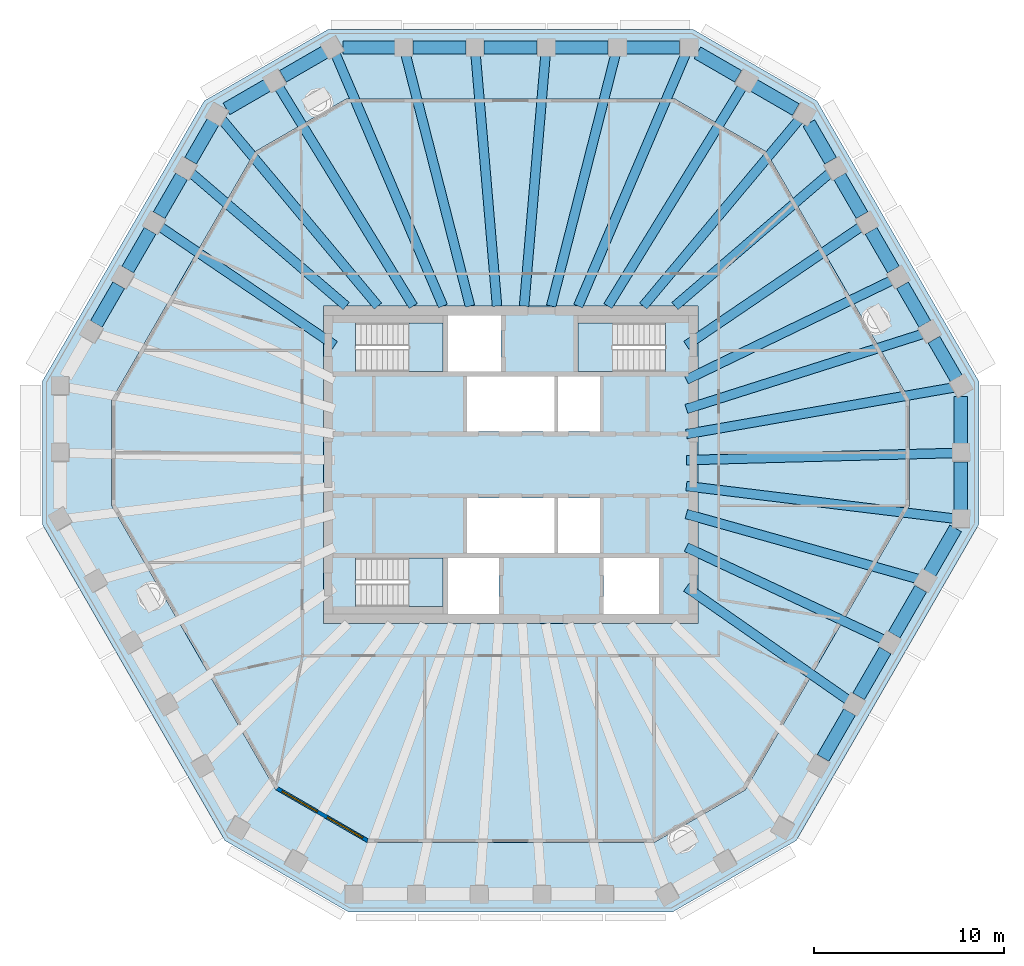
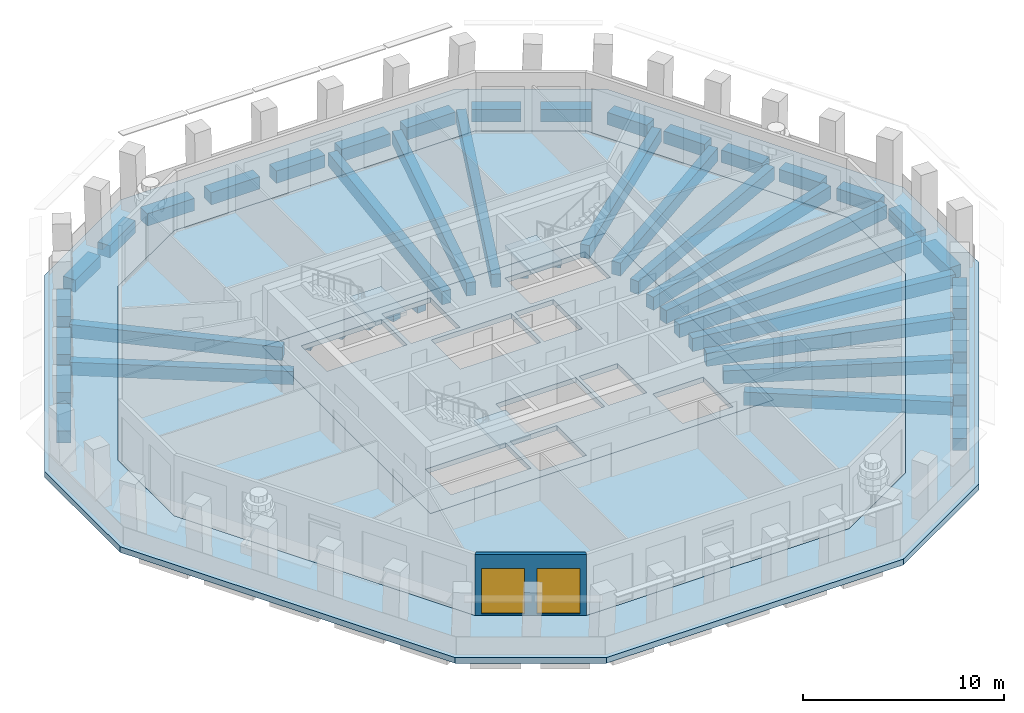
# One storey, part 2 of 11: 46 beams, 6 slabs, 2 windows, 1 wall, 2 openings, 3 elements without a shape of their own.
"""IFC4 building model written with IfcOpenShell, lengths in metres."""

import ifcopenshell
import ifcopenshell.guid

model = None  # the IFC model being written
_history = None  # IfcOwnerHistory: only IFC2X3 demands one
_inside = {}  # id of a spatial element -> (the spatial element, [elements in it])
_under = {}  # id of a project, library or spatial element -> (it, [spatial elements below it])
_declared = {}  # id of a project -> (the project, [libraries it declares])
_typed = {}  # id of a type object -> (the type object, [elements of that type])
_made_of = {}  # id of a material, layer set ... -> (it, [elements and type objects made of it])


def new_model(schema):
    """Start an empty IFC model of exactly this schema.

    Asked for "IFC4X3", IfcOpenShell would pick the latest addendum, in which some entities
    have other attributes; the version numbers below select the first issue.
    IFC2X3 requires an IfcOwnerHistory on every rooted entity: one is made here for all.
    """
    global model, _history
    if schema == "IFC4X3":
        model = ifcopenshell.file(schema_version=(4, 3, 0, 0))
    else:
        model = ifcopenshell.file(schema=schema)
    _inside.clear()
    _under.clear()
    _declared.clear()
    _typed.clear()
    _made_of.clear()
    _history = None
    if model.schema == "IFC2X3":
        org = make("IfcOrganization", Name="unknown")
        user = make(
            "IfcPersonAndOrganization",
            ThePerson=make("IfcPerson", FamilyName="unknown"),
            TheOrganization=org,
        )
        app = make(
            "IfcApplication",
            ApplicationDeveloper=org,
            Version="unknown",
            ApplicationFullName="unknown",
            ApplicationIdentifier="unknown",
        )
        _history = make(
            "IfcOwnerHistory",
            OwningUser=user,
            OwningApplication=app,
            ChangeAction="ADDED",
            CreationDate=0,
        )
    return model


def make(cls, **values):
    """One entity of the class cls with the attributes given. An attribute that is None is left unset."""
    return model.create_entity(
        cls, **{name: value for name, value in values.items() if value is not None}
    )


def rooted(cls, **values):
    """An entity with a GlobalId (a new one), such as an element, a storey or a relation."""
    return make(cls, GlobalId=ifcopenshell.guid.new(), OwnerHistory=_history, **values)


def si_unit(unit_type, name, prefix=None):
    """IfcSIUnit, for example si_unit("LENGTHUNIT", "METRE", prefix="MILLI")."""
    return make("IfcSIUnit", UnitType=unit_type, Prefix=prefix, Name=name)


def assignment(units):
    """IfcUnitAssignment: the units of a project."""
    return None if units is None else make("IfcUnitAssignment", Units=units)


def point(xyz):
    """IfcCartesianPoint."""
    return None if xyz is None else make("IfcCartesianPoint", Coordinates=xyz)


def direction(xyz):
    """IfcDirection."""
    return None if xyz is None else make("IfcDirection", DirectionRatios=xyz)


def frame(location, z_axis=None, x_axis=None):
    """IfcAxis2Placement3D, a coordinate frame: its origin and axes. An axis left out is left unset."""
    return make(
        "IfcAxis2Placement3D",
        Location=point(location),
        Axis=direction(z_axis),
        RefDirection=direction(x_axis),
    )


def frame_2d(location, x_axis=None):
    """IfcAxis2Placement2D, a coordinate frame in the plane: its origin and x axis."""
    return make(
        "IfcAxis2Placement2D", Location=point(location), RefDirection=direction(x_axis)
    )


def origin():
    """The frame at (0, 0, 0) with its axes left unset."""
    return frame((0.0, 0.0, 0.0))


def origin_2d():
    """The frame at (0, 0) in the plane with its x axis left unset."""
    return frame_2d((0.0, 0.0))


def place(relative_to, where):
    """IfcLocalPlacement: puts the frame where relative to a parent placement (None: the world)."""
    return make(
        "IfcLocalPlacement", PlacementRelTo=relative_to, RelativePlacement=where
    )


def context(
    kind, dimensions, precision=None, world=None, true_north=None, identifier=None
):
    """IfcGeometricRepresentationContext, for example the 3D "Model" context."""
    return make(
        "IfcGeometricRepresentationContext",
        ContextIdentifier=identifier,
        ContextType=kind,
        CoordinateSpaceDimension=dimensions,
        Precision=precision,
        WorldCoordinateSystem=world,
        TrueNorth=true_north,
    )


def subcontext(parent, identifier, kind, view, scale=None):
    """IfcGeometricRepresentationSubContext, for example "Body" below "Model"."""
    return make(
        "IfcGeometricRepresentationSubContext",
        ContextIdentifier=identifier,
        ContextType=kind,
        ParentContext=parent,
        TargetScale=scale,
        TargetView=view,
    )


def project(units=None, contexts=None):
    """IfcProject with its units and contexts."""
    return rooted(
        "IfcProject",
        Name="project",
        RepresentationContexts=contexts,
        UnitsInContext=assignment(units),
    )


def spatial(cls, under=None, at=None, **own):
    """A site, building, storey or space (cls), placed at a placement, below another one or the project."""
    s = rooted(cls, ObjectPlacement=at, **own)
    if under is not None:
        _under.setdefault(under.id(), (under, []))[1].append(s)
    return s


def polyline(points):
    """IfcPolyline through the points."""
    return make("IfcPolyline", Points=[point(p) for p in points])


def profile(cls, at=None, kind="AREA", **sizes):
    """A parametric profile (cls). Its sizes go by their IFC names, for example OverallWidth=200.0."""
    return make(cls, ProfileType=kind, Position=at, **sizes)


def rectangle(**sizes):
    """IfcRectangleProfileDef."""
    return profile("IfcRectangleProfileDef", **sizes)


def outline(outer, holes=None, kind="AREA"):
    """IfcArbitraryClosedProfileDef: a profile drawn as a closed curve; with holes, ...WithVoids."""
    if holes is None:
        return make("IfcArbitraryClosedProfileDef", ProfileType=kind, OuterCurve=outer)
    return make(
        "IfcArbitraryProfileDefWithVoids",
        ProfileType=kind,
        OuterCurve=outer,
        InnerCurves=holes,
    )


def extrude(swept, where, along, depth):
    """IfcExtrudedAreaSolid: the profile swept, set in the frame where, extruded along a direction by depth."""
    return make(
        "IfcExtrudedAreaSolid",
        SweptArea=swept,
        Position=where,
        ExtrudedDirection=direction(along),
        Depth=depth,
    )


def shape(context_of_items, identifier, shape_type, items):
    """IfcShapeRepresentation: the items that make up one representation, for example the "Body"."""
    return make(
        "IfcShapeRepresentation",
        ContextOfItems=context_of_items,
        RepresentationIdentifier=identifier,
        RepresentationType=shape_type,
        Items=items,
    )


def material(Name=None, Category=None):
    """IfcMaterial."""
    return make("IfcMaterial", Name=Name, Category=Category)


def layer(
    of_material, thickness, ventilated=None, Name=None, Category=None, Priority=None
):
    """IfcMaterialLayer: one layer of a wall or slab, of a material (None: an air gap)."""
    return make(
        "IfcMaterialLayer",
        Material=of_material,
        LayerThickness=thickness,
        IsVentilated=ventilated,
        Name=Name,
        Category=Category,
        Priority=Priority,
    )


def layer_set(layers, Name=None):
    """IfcMaterialLayerSet."""
    return make("IfcMaterialLayerSet", MaterialLayers=layers, LayerSetName=Name)


def material_profile(
    of_material, cross_section, Name=None, Category=None, Priority=None
):
    """IfcMaterialProfile: a cross section and its material."""
    return make(
        "IfcMaterialProfile",
        Name=Name,
        Material=of_material,
        Profile=cross_section,
        Priority=Priority,
        Category=Category,
    )


def profile_set(profiles, Name=None, composite=None):
    """IfcMaterialProfileSet."""
    return make(
        "IfcMaterialProfileSet",
        Name=Name,
        MaterialProfiles=profiles,
        CompositeProfile=composite,
    )


def made_of(thing, what):
    """Note that an element or type object is made of a material, layer set ...; save() writes the relation."""
    if what is not None:
        _made_of.setdefault(what.id(), (what, []))[1].append(thing)
    return thing


def type_object(cls, material=None, **own):
    """A type object (cls), such as IfcWallType, which elements share."""
    return made_of(rooted(cls, **own), material)


def element(
    cls,
    number,
    at=None,
    inside=None,
    cuts=None,
    type_object=None,
    material=None,
    context=None,
    identifier="Body",
    shape_type=None,
    held_by="IfcProductDefinitionShape",
    body=None,
    shapes=None,
    **own,
):
    """One element of the class cls, such as IfcWall. Its Tag is "e" and its number.

    at: its placement. inside: the storey or other place that contains it. cuts: it is an
    opening in that element (IfcRelVoidsElement). A single representation is given by context,
    identifier, shape_type and body (its items); several are given by shapes. held_by: the class
    of the entity that holds the representations. save() writes the other relations.
    """
    e = rooted(cls, Tag="e%d" % number, ObjectPlacement=at, **own)
    if body is not None:
        shapes = [shape(context, identifier, shape_type, body)]
    if shapes is not None:
        e.Representation = make(held_by, Representations=shapes)
    if inside is not None:
        _inside.setdefault(inside.id(), (inside, []))[1].append(e)
    if cuts is not None:
        rooted(
            "IfcRelVoidsElement", RelatingBuildingElement=cuts, RelatedOpeningElement=e
        )
    if type_object is not None:
        _typed.setdefault(type_object.id(), (type_object, []))[1].append(e)
    return made_of(e, material)


def fill(opening, filler):
    """IfcRelFillsElement: the door or window that sits in an opening."""
    return rooted(
        "IfcRelFillsElement",
        RelatingOpeningElement=opening,
        RelatedBuildingElement=filler,
    )


def aggregate(whole, parts):
    """IfcRelAggregates: a whole, such as a stair, and the parts it consists of."""
    return rooted("IfcRelAggregates", RelatingObject=whole, RelatedObjects=parts)


def save(model, path):
    """Write the relations noted so far, then the file.

    IfcRelAggregates (storeys below a building ...), IfcRelContainedInSpatialStructure (elements
    in a storey), IfcRelDefinesByType, IfcRelAssociatesMaterial and IfcRelDeclares: one each for
    every whole, place, type object, material and project.
    """
    for whole, parts in _under.values():
        aggregate(whole, parts)
    for where, things in _inside.values():
        rooted(
            "IfcRelContainedInSpatialStructure",
            RelatedElements=things,
            RelatingStructure=where,
        )
    for kind, things in _typed.values():
        rooted("IfcRelDefinesByType", RelatedObjects=things, RelatingType=kind)
    for what, things in _made_of.values():
        rooted("IfcRelAssociatesMaterial", RelatedObjects=things, RelatingMaterial=what)
    for by, libraries in _declared.values():
        rooted("IfcRelDeclares", RelatingContext=by, RelatedDefinitions=libraries)
    model.write(path)


model = new_model("IFC4")

# Units and contexts
model_context = context("Model", 3, precision=1e-05, world=origin(), true_north=direction((0.0, 1.0)))
body_context = subcontext(model_context, "Body", "Model", "MODEL_VIEW")
ifc_project = project(units=[si_unit("LENGTHUNIT", "METRE"), si_unit("AREAUNIT", "SQUARE_METRE"), si_unit("VOLUMEUNIT", "CUBIC_METRE"), si_unit("PLANEANGLEUNIT", "RADIAN"), si_unit("MASSUNIT", "GRAM", prefix="KILO")], contexts=[model_context])

# Site, building, storey
site_placement = place(None, origin())
site = spatial("IfcSite", under=ifc_project, at=site_placement, CompositionType="ELEMENT")
building_placement = place(site_placement, origin())
building = spatial("IfcBuilding", under=site, at=building_placement, Name="Frailejon Research Tower", CompositionType="ELEMENT")
storey_placement = place(building_placement, frame((0.0, 0.0, 283.0)))
storey = spatial("IfcBuildingStorey", under=building, at=storey_placement, Name="L62", CompositionType="ELEMENT", Elevation=283.0)

# Beams
ifc_material_1 = material(Name="Concrete C60/75", Category="concrete")
ifc_material_profile_1 = material_profile(ifc_material_1, rectangle(XDim=0.5, YDim=0.800048828125, at=origin_2d()), Name="Girder 500x800")
ifc_profile_set_1 = profile_set([ifc_material_profile_1], Name="Concrete C60/75")
beam_type_1 = type_object("IfcBeamType", Name="Girder 500x800", PredefinedType="BEAM", material=ifc_profile_set_1)
beam_1_placement = place(storey_placement, frame((23.360595703125, -2.833740234375, -0.699951171875), z_axis=(-0.992722897233, 0.120421133147, 0.0), x_axis=(-0.120421133147, -0.992722897233, 0.0)))
element("IfcBeam", 1, at=beam_1_placement, inside=storey, type_object=beam_type_1, Name="Girder 500x800", PredefinedType="BEAM", context=body_context, shape_type="SweptSolid", body=[
    extrude(rectangle(XDim=0.5, YDim=0.800048828125, at=origin_2d()), origin(), (0.0, 0.0, 1.0), 14.214111328125),
])
beam_2_placement = place(storey_placement, frame((23.361572265625, 0.619873046875, -0.699951171875), z_axis=(-0.99964801782, -0.026529991857, 0.0), x_axis=(0.026529991857, -0.99964801782, 0.0)))
element("IfcBeam", 2, at=beam_2_placement, inside=storey, type_object=beam_type_1, Name="Girder 500x800", PredefinedType="BEAM", context=body_context, shape_type="SweptSolid", body=[
    extrude(rectangle(XDim=0.5, YDim=0.800048828125, at=origin_2d()), origin(), (0.0, 0.0, 1.0), 14.116455078125),
])
beam_3_placement = place(storey_placement, frame((23.336181640625, 4.0693359375, -0.699951171875), z_axis=(-0.98513458594, -0.171784305408, 0.0), x_axis=(0.171784305408, -0.98513458594, 0.0)))
element("IfcBeam", 3, at=beam_3_placement, inside=storey, type_object=beam_type_1, Name="Girder 500x800", PredefinedType="BEAM", context=body_context, shape_type="SweptSolid", body=[
    extrude(rectangle(XDim=0.5, YDim=0.800048828125, at=origin_2d()), origin(), (0.0, 0.0, 1.0), 14.298828125),
])
beam_4_placement = place(storey_placement, frame((21.712890625, 6.89208984375, -0.699951171875), z_axis=(-0.953138881796, -0.302533092418, 0.0), x_axis=(0.302533092418, -0.953138881796, 0.0)))
element("IfcBeam", 4, at=beam_4_placement, inside=storey, type_object=beam_type_1, Name="Girder 500x800", PredefinedType="BEAM", context=body_context, shape_type="SweptSolid", body=[
    extrude(rectangle(XDim=0.5, YDim=0.800048828125, at=origin_2d()), origin(), (0.0, 0.0, 1.0), 13.07568359375),
])
beam_5_placement = place(storey_placement, frame((20.08642578125, 9.71533203125, -0.699951171875), z_axis=(-0.900231576571, -0.435411424454, 0.0), x_axis=(0.435411424454, -0.900231576571, 0.0)))
element("IfcBeam", 5, at=beam_5_placement, inside=storey, type_object=beam_type_1, Name="Girder 500x800", PredefinedType="BEAM", context=body_context, shape_type="SweptSolid", body=[
    extrude(rectangle(XDim=0.5, YDim=0.800048828125, at=origin_2d()), origin(), (0.0, 0.0, 1.0), 12.037353515625),
])
beam_6_placement = place(storey_placement, frame((18.45703125, 12.53759765625, -0.699951171875), z_axis=(-0.82720341798, -0.561902576326, 0.0), x_axis=(0.561902576326, -0.82720341798, 0.0)))
element("IfcBeam", 6, at=beam_6_placement, inside=storey, type_object=beam_type_1, Name="Girder 500x800", PredefinedType="BEAM", context=body_context, shape_type="SweptSolid", body=[
    extrude(rectangle(XDim=0.5, YDim=0.800048828125, at=origin_2d()), origin(), (0.0, 0.0, 1.0), 11.13037109375),
])
beam_7_placement = place(storey_placement, frame((16.82080078125, 15.3671875, -0.699951171875), z_axis=(-0.758638635504, -0.651511642813, 0.0), x_axis=(0.651511642813, -0.758638635504, 0.0)))
element("IfcBeam", 7, at=beam_7_placement, inside=storey, type_object=beam_type_1, Name="Girder 500x800", PredefinedType="BEAM", context=body_context, shape_type="SweptSolid", body=[
    extrude(rectangle(XDim=0.5, YDim=0.800048828125, at=origin_2d()), origin(), (0.0, 0.0, 1.0), 10.7705078125),
])
beam_8_placement = place(storey_placement, frame((15.20751953125, 18.193115234375, -0.699951171875), z_axis=(-0.641346085729, -0.767251717704, 0.0), x_axis=(0.767251717704, -0.641346085729, 0.0)))
element("IfcBeam", 8, at=beam_8_placement, inside=storey, type_object=beam_type_1, Name="Girder 500x800", PredefinedType="BEAM", context=body_context, shape_type="SweptSolid", body=[
    extrude(rectangle(XDim=0.5, YDim=0.800048828125, at=origin_2d()), origin(), (0.0, 0.0, 1.0), 12.828857421875),
])
beam_9_placement = place(storey_placement, frame((12.2177734375, 19.921875, -0.699951171875), z_axis=(-0.522805378048, -0.852452072954, 0.0), x_axis=(0.852452072954, -0.522805378048, 0.0)))
element("IfcBeam", 9, at=beam_9_placement, inside=storey, type_object=beam_type_1, Name="Girder 500x800", PredefinedType="BEAM", context=body_context, shape_type="SweptSolid", body=[
    extrude(rectangle(XDim=0.5, YDim=0.800048828125, at=origin_2d()), origin(), (0.0, 0.0, 1.0), 13.57470703125),
])
beam_10_placement = place(storey_placement, frame((9.211181640625, 21.613037109375, -0.699951171875), z_axis=(-0.39207095417, -0.919934979711, 0.0), x_axis=(0.919934979711, -0.39207095417, 0.0)))
element("IfcBeam", 10, at=beam_10_placement, inside=storey, type_object=beam_type_1, Name="Girder 500x800", PredefinedType="BEAM", context=body_context, shape_type="SweptSolid", body=[
    extrude(rectangle(XDim=0.5, YDim=0.800048828125, at=origin_2d()), origin(), (0.0, 0.0, 1.0), 14.417236328125),
])
beam_11_placement = place(storey_placement, frame((5.528564453125, 21.620361328125, -0.699951171875), z_axis=(-0.247736763528, -0.96882738194, 0.0), x_axis=(0.96882738194, -0.247736763528, 0.0)))
element("IfcBeam", 11, at=beam_11_placement, inside=storey, type_object=beam_type_1, Name="Girder 500x800", PredefinedType="BEAM", context=body_context, shape_type="SweptSolid", body=[
    extrude(rectangle(XDim=0.5, YDim=0.800048828125, at=origin_2d()), origin(), (0.0, 0.0, 1.0), 13.697265625),
])
for number, where, z_axis, x_axis, name in (
    (12, (1.84326171875, 21.62451171875, -0.699951171875), (-0.084938023357, -0.996386236451, 0.0), (0.996386236451, -0.084938023357, 0.0), "Girder 500x800"),
    (13, (-1.84326171875, 21.62451171875, -0.699951171875), (0.084938023357, -0.996386236451, 0.0), (0.996386236451, 0.084938023357, 0.0), "Girder 500x800"),
):
    element("IfcBeam", number, at=place(storey_placement, frame(where, z_axis=z_axis, x_axis=x_axis)), inside=storey, type_object=beam_type_1, Name=name, PredefinedType="BEAM", context=body_context, shape_type="SweptSolid", body=[
        extrude(rectangle(XDim=0.5, YDim=0.800048828125, at=origin_2d()), origin(), (0.0, 0.0, 1.0), 13.322509765625),
    ])
beam_12_placement = place(storey_placement, frame((-5.528564453125, 21.620361328125, -0.699951171875), z_axis=(0.247736763528, -0.96882738194, 0.0), x_axis=(0.96882738194, 0.247736763528, 0.0)))
element("IfcBeam", 14, at=beam_12_placement, inside=storey, type_object=beam_type_1, Name="Girder 500x800", PredefinedType="BEAM", context=body_context, shape_type="SweptSolid", body=[
    extrude(rectangle(XDim=0.5, YDim=0.800048828125, at=origin_2d()), origin(), (0.0, 0.0, 1.0), 13.697265625),
])
beam_13_placement = place(storey_placement, frame((-9.22607421875, 21.647705078125, -0.699951171875), z_axis=(0.392077821058, -0.919932053053, 0.0), x_axis=(0.919932053053, 0.392077821058, 0.0)))
element("IfcBeam", 15, at=beam_13_placement, inside=storey, type_object=beam_type_1, Name="Girder 500x800", PredefinedType="BEAM", context=body_context, shape_type="SweptSolid", body=[
    extrude(rectangle(XDim=0.5, YDim=0.800048828125, at=origin_2d()), origin(), (0.0, 0.0, 1.0), 14.455078125),
])
beam_14_placement = place(storey_placement, frame((-12.2177734375, 19.921875, -0.699951171875), z_axis=(0.522805378048, -0.852452072954, 0.0), x_axis=(0.852452072954, 0.522805378048, 0.0)))
element("IfcBeam", 16, at=beam_14_placement, inside=storey, type_object=beam_type_1, Name="Girder 500x800", PredefinedType="BEAM", context=body_context, shape_type="SweptSolid", body=[
    extrude(rectangle(XDim=0.5, YDim=0.800048828125, at=origin_2d()), origin(), (0.0, 0.0, 1.0), 13.57470703125),
])
beam_15_placement = place(storey_placement, frame((-15.1923828125, 18.175048828125, -0.699951171875), z_axis=(0.6413444767, -0.76725306269, 0.0), x_axis=(0.76725306269, 0.6413444767, 0.0)))
element("IfcBeam", 17, at=beam_15_placement, inside=storey, type_object=beam_type_1, Name="Girder 500x800", PredefinedType="BEAM", context=body_context, shape_type="SweptSolid", body=[
    extrude(rectangle(XDim=0.5, YDim=0.800048828125, at=origin_2d()), origin(), (0.0, 0.0, 1.0), 12.805419921875),
])
beam_16_placement = place(storey_placement, frame((-16.82080078125, 15.3671875, -0.699951171875), z_axis=(0.758638635504, -0.651511642813, 0.0), x_axis=(0.651511642813, 0.758638635504, 0.0)))
element("IfcBeam", 18, at=beam_16_placement, inside=storey, type_object=beam_type_1, Name="Girder 500x800", PredefinedType="BEAM", context=body_context, shape_type="SweptSolid", body=[
    extrude(rectangle(XDim=0.5, YDim=0.800048828125, at=origin_2d()), origin(), (0.0, 0.0, 1.0), 10.7705078125),
])
beam_17_placement = place(storey_placement, frame((-18.45703125, 12.53759765625, -0.699951171875), z_axis=(0.82720341798, -0.561902576326, 0.0), x_axis=(0.561902576326, 0.82720341798, 0.0)))
element("IfcBeam", 19, at=beam_17_placement, inside=storey, type_object=beam_type_1, Name="Girder 500x800", PredefinedType="BEAM", context=body_context, shape_type="SweptSolid", body=[
    extrude(rectangle(XDim=0.5, YDim=0.800048828125, at=origin_2d()), origin(), (0.0, 0.0, 1.0), 11.13037109375),
])
beam_18_placement = place(storey_placement, frame((17.8056640625, -12.408447265625, -0.699951171875), z_axis=(-0.820437767817, 0.571735838599, 0.0), x_axis=(-0.571735838599, -0.820437767817, 0.0)))
element("IfcBeam", 20, at=beam_18_placement, inside=storey, type_object=beam_type_1, Name="Girder 500x800", PredefinedType="BEAM", context=body_context, shape_type="SweptSolid", body=[
    extrude(rectangle(XDim=0.5, YDim=0.800048828125, at=origin_2d()), origin(), (0.0, 0.0, 1.0), 10.42822265625),
])
beam_19_placement = place(storey_placement, frame((19.64892578125, -9.216064453125, -0.699951171875), z_axis=(-0.905352204933, 0.424661494632, 0.0), x_axis=(-0.424661494632, -0.905352204933, 0.0)))
element("IfcBeam", 21, at=beam_19_placement, inside=storey, type_object=beam_type_1, Name="Girder 500x800", PredefinedType="BEAM", context=body_context, shape_type="SweptSolid", body=[
    extrude(rectangle(XDim=0.5, YDim=0.800048828125, at=origin_2d()), origin(), (0.0, 0.0, 1.0), 11.486083984375),
])
beam_20_placement = place(storey_placement, frame((21.488037109375, -6.022216796875, -0.699951171875), z_axis=(-0.962896957439, 0.269869319031, 0.0), x_axis=(-0.269869319031, -0.962896957439, 0.0)))
element("IfcBeam", 22, at=beam_20_placement, inside=storey, type_object=beam_type_1, Name="Girder 500x800", PredefinedType="BEAM", context=body_context, shape_type="SweptSolid", body=[
    extrude(rectangle(XDim=0.5, YDim=0.800048828125, at=origin_2d()), origin(), (0.0, 0.0, 1.0), 12.709716796875),
])
ifc_material_2 = material(Name="Concrete C60/75", Category="concrete")
ifc_material_profile_2 = material_profile(ifc_material_2, rectangle(XDim=0.699951171875, YDim=0.75, at=origin_2d()), Name="Spandrel 700x750")
ifc_profile_set_2 = profile_set([ifc_material_profile_2], Name="Concrete C60/75")
beam_type_2 = type_object("IfcBeamType", Name="Spandrel 700x750", PredefinedType="BEAM", material=ifc_profile_set_2)
beam_21_placement = place(storey_placement, frame((23.686767578125, -2.3984375, -0.72509765625), z_axis=(0.0, 1.0, 0.0), x_axis=(-1.0, 0.0, 0.0)))
element("IfcBeam", 23, at=beam_21_placement, inside=storey, type_object=beam_type_2, Name="Spandrel 700x750", PredefinedType="BEAM", context=body_context, shape_type="SweptSolid", body=[
    extrude(rectangle(XDim=0.699951171875, YDim=0.75, at=origin_2d()), origin(), (0.0, 0.0, 1.0), 2.552001953125),
])
beam_22_placement = place(storey_placement, frame((23.686767578125, 1.103515625, -0.72509765625), z_axis=(0.0, 1.0, 0.0), x_axis=(-1.0, 0.0, 0.0)))
element("IfcBeam", 24, at=beam_22_placement, inside=storey, type_object=beam_type_2, Name="Spandrel 700x750", PredefinedType="BEAM", context=body_context, shape_type="SweptSolid", body=[
    extrude(rectangle(XDim=0.699951171875, YDim=0.75, at=origin_2d()), origin(), (0.0, 0.0, 1.0), 2.478515625),
])
for number, where, z_axis, x_axis, name in (
    (25, (23.44921875, 4.5419921875, -0.72509765625), (-0.500039355833, 0.866002680491, 0.0), (-0.866002680491, -0.500039355833, 0.0), "Spandrel 700x750"),
    (26, (21.7958984375, 7.405517578125, -0.72509765625), (-0.500039355833, 0.866002680491, 0.0), (-0.866002680491, -0.500039355833, 0.0), "Spandrel 700x750"),
):
    element("IfcBeam", number, at=place(storey_placement, frame(where, z_axis=z_axis, x_axis=x_axis)), inside=storey, type_object=beam_type_2, Name=name, PredefinedType="BEAM", context=body_context, shape_type="SweptSolid", body=[
        extrude(rectangle(XDim=0.699951171875, YDim=0.75, at=origin_2d()), origin(), (0.0, 0.0, 1.0), 2.356201171875),
    ])
for number, where, z_axis, x_axis, name in (
    (27, (20.142578125, 10.268798828125, -0.72509765625), (-0.499916780962, 0.866073444987, 0.0), (-0.866073444987, -0.499916780962, 0.0), "Spandrel 700x750"),
    (28, (18.489501953125, 13.13232421875, -0.72509765625), (-0.499994490818, 0.866028584489, 0.0), (-0.866028584489, -0.499994490818, 0.0), "Spandrel 700x750"),
):
    element("IfcBeam", number, at=place(storey_placement, frame(where, z_axis=z_axis, x_axis=x_axis)), inside=storey, type_object=beam_type_2, Name=name, PredefinedType="BEAM", context=body_context, shape_type="SweptSolid", body=[
        extrude(rectangle(XDim=0.699951171875, YDim=0.75, at=origin_2d()), origin(), (0.0, 0.0, 1.0), 2.3564453125),
    ])
beam_23_placement = place(storey_placement, frame((16.836181640625, 15.995849609375, -0.72509765625), z_axis=(-0.500049527193, 0.865996807358, 0.0), x_axis=(-0.865996807358, -0.500049527193, 0.0)))
element("IfcBeam", 29, at=beam_23_placement, inside=storey, type_object=beam_type_2, Name="Spandrel 700x750", PredefinedType="BEAM", context=body_context, shape_type="SweptSolid", body=[
    extrude(rectangle(XDim=0.699951171875, YDim=0.75, at=origin_2d()), origin(), (0.0, 0.0, 1.0), 2.282958984375),
])
beam_24_placement = place(storey_placement, frame((15.009033203125, 18.685546875, -0.72509765625), z_axis=(-0.866032638483, 0.499987468925, 0.0), x_axis=(-0.499987468925, -0.866032638483, 0.0)))
element("IfcBeam", 30, at=beam_24_placement, inside=storey, type_object=beam_type_2, Name="Spandrel 700x750", PredefinedType="BEAM", context=body_context, shape_type="SweptSolid", body=[
    extrude(rectangle(XDim=0.699951171875, YDim=0.75, at=origin_2d()), origin(), (0.0, 0.0, 1.0), 2.5517578125),
])
beam_25_placement = place(storey_placement, frame((11.976318359375, 20.4365234375, -0.72509765625), z_axis=(-0.866028115054, 0.499995303914, 0.0), x_axis=(-0.499995303914, -0.866028115054, 0.0)))
element("IfcBeam", 31, at=beam_25_placement, inside=storey, type_object=beam_type_2, Name="Spandrel 700x750", PredefinedType="BEAM", context=body_context, shape_type="SweptSolid", body=[
    extrude(rectangle(XDim=0.699951171875, YDim=0.75, at=origin_2d()), origin(), (0.0, 0.0, 1.0), 2.478515625),
])
for number, where, z_axis, x_axis, name in (
    (32, (8.8798828125, 21.949951171875, -0.72509765625), (-1.0, 0.0, 0.0), (0.0, -1.0, 0.0), "Spandrel 700x750"),
    (33, (5.137939453125, 21.949951171875, -0.72509765625), (-1.0, 0.0, 0.0), (0.0, -1.0, 0.0), "Spandrel 700x750"),
    (34, (1.39599609375, 21.949951171875, -0.72509765625), (-1.0, 0.0, 0.0), (0.0, -1.0, 0.0), "Spandrel 700x750"),
    (35, (-2.345947265625, 21.949951171875, -0.72509765625), (-1.0, 0.0, 0.0), (0.0, -1.0, 0.0), "Spandrel 700x750"),
):
    element("IfcBeam", number, at=place(storey_placement, frame(where, z_axis=z_axis, x_axis=x_axis)), inside=storey, type_object=beam_type_2, Name=name, PredefinedType="BEAM", context=body_context, shape_type="SweptSolid", body=[
        extrude(rectangle(XDim=0.699951171875, YDim=0.75, at=origin_2d()), origin(), (0.0, 0.0, 1.0), 2.7919921875),
    ])
beam_26_placement = place(storey_placement, frame((-6.087890625, 21.949951171875, -0.72509765625), z_axis=(-1.0, 0.0, 0.0), x_axis=(0.0, -1.0, 0.0)))
element("IfcBeam", 36, at=beam_26_placement, inside=storey, type_object=beam_type_2, Name="Spandrel 700x750", PredefinedType="BEAM", context=body_context, shape_type="SweptSolid", body=[
    extrude(rectangle(XDim=0.699951171875, YDim=0.75, at=origin_2d()), origin(), (0.0, 0.0, 1.0), 2.718505859375),
])
beam_27_placement = place(storey_placement, frame((-9.766357421875, 21.71240234375, -0.72509765625), z_axis=(-0.866032638483, -0.499987468925, 0.0), x_axis=(0.499987468925, -0.866032638483, 0.0)))
element("IfcBeam", 37, at=beam_27_placement, inside=storey, type_object=beam_type_2, Name="Spandrel 700x750", PredefinedType="BEAM", context=body_context, shape_type="SweptSolid", body=[
    extrude(rectangle(XDim=0.699951171875, YDim=0.75, at=origin_2d()), origin(), (0.0, 0.0, 1.0), 2.5517578125),
])
beam_28_placement = place(storey_placement, frame((-12.799072265625, 19.96142578125, -0.72509765625), z_axis=(-0.866028115054, -0.499995303914, 0.0), x_axis=(0.499995303914, -0.866028115054, 0.0)))
element("IfcBeam", 38, at=beam_28_placement, inside=storey, type_object=beam_type_2, Name="Spandrel 700x750", PredefinedType="BEAM", context=body_context, shape_type="SweptSolid", body=[
    extrude(rectangle(XDim=0.699951171875, YDim=0.75, at=origin_2d()), origin(), (0.0, 0.0, 1.0), 2.478515625),
])
for number, where, z_axis, x_axis, name in (
    (39, (-15.657958984375, 18.03662109375, -0.72509765625), (-0.499994490818, -0.866028584489, 0.0), (0.866028584489, -0.499994490818, 0.0), "Spandrel 700x750"),
    (40, (-17.311279296875, 15.173095703125, -0.72509765625), (-0.499994490818, -0.866028584489, 0.0), (0.866028584489, -0.499994490818, 0.0), "Spandrel 700x750"),
    (41, (-18.964599609375, 12.3095703125, -0.72509765625), (-0.499916780962, -0.866073444987, 0.0), (0.866073444987, -0.499916780962, 0.0), "Spandrel 700x750"),
):
    element("IfcBeam", number, at=place(storey_placement, frame(where, z_axis=z_axis, x_axis=x_axis)), inside=storey, type_object=beam_type_2, Name=name, PredefinedType="BEAM", context=body_context, shape_type="SweptSolid", body=[
        extrude(rectangle(XDim=0.699951171875, YDim=0.75, at=origin_2d()), origin(), (0.0, 0.0, 1.0), 2.3564453125),
    ])
beam_29_placement = place(storey_placement, frame((-20.61767578125, 9.446044921875, -0.72509765625), z_axis=(-0.500039355833, -0.866002680491, 0.0), x_axis=(0.866002680491, -0.500039355833, 0.0)))
element("IfcBeam", 42, at=beam_29_placement, inside=storey, type_object=beam_type_2, Name="Spandrel 700x750", PredefinedType="BEAM", context=body_context, shape_type="SweptSolid", body=[
    extrude(rectangle(XDim=0.699951171875, YDim=0.75, at=origin_2d()), origin(), (0.0, 0.0, 1.0), 2.356201171875),
])
beam_30_placement = place(storey_placement, frame((16.440185546875, -15.424560546875, -0.72509765625), z_axis=(0.499994945868, 0.866028321769, 0.0), x_axis=(-0.866028321769, 0.499994945868, 0.0)))
element("IfcBeam", 43, at=beam_30_placement, inside=storey, type_object=beam_type_2, Name="Spandrel 700x750", PredefinedType="BEAM", context=body_context, shape_type="SweptSolid", body=[
    extrude(rectangle(XDim=0.699951171875, YDim=0.75, at=origin_2d()), origin(), (0.0, 0.0, 1.0), 2.7919921875),
])
beam_31_placement = place(storey_placement, frame((18.311279296875, -12.183837890625, -0.72509765625), z_axis=(0.500032811619, 0.866006459158, 0.0), x_axis=(-0.866006459158, 0.500032811619, 0.0)))
element("IfcBeam", 44, at=beam_31_placement, inside=storey, type_object=beam_type_2, Name="Spandrel 700x750", PredefinedType="BEAM", context=body_context, shape_type="SweptSolid", body=[
    extrude(rectangle(XDim=0.699951171875, YDim=0.75, at=origin_2d()), origin(), (0.0, 0.0, 1.0), 2.791748046875),
])
beam_32_placement = place(storey_placement, frame((20.18212890625, -8.943359375, -0.72509765625), z_axis=(0.499994945868, 0.866028321769, 0.0), x_axis=(-0.866028321769, 0.499994945868, 0.0)))
element("IfcBeam", 45, at=beam_32_placement, inside=storey, type_object=beam_type_2, Name="Spandrel 700x750", PredefinedType="BEAM", context=body_context, shape_type="SweptSolid", body=[
    extrude(rectangle(XDim=0.699951171875, YDim=0.75, at=origin_2d()), origin(), (0.0, 0.0, 1.0), 2.7919921875),
])
beam_33_placement = place(storey_placement, frame((22.05322265625, -5.70263671875, -0.72509765625), z_axis=(0.500041177004, 0.866001628925, 0.0), x_axis=(-0.866001628925, 0.500041177004, 0.0)))
element("IfcBeam", 46, at=beam_33_placement, inside=storey, type_object=beam_type_2, Name="Spandrel 700x750", PredefinedType="BEAM", context=body_context, shape_type="SweptSolid", body=[
    extrude(rectangle(XDim=0.699951171875, YDim=0.75, at=origin_2d()), origin(), (0.0, 0.0, 1.0), 2.718505859375),
])

# Slabs
ifc_material_3 = material(Name="Concrete C50/60", Category="concrete")
ifc_layer_1 = layer(ifc_material_3, 0.300048828125)
ifc_layer_set_1 = layer_set([ifc_layer_1], Name="Core floor slab 300 C50/60")
slab_type_1 = type_object("IfcSlabType", Name="Core floor slab 300 C50/60", PredefinedType="FLOOR", material=ifc_layer_set_1)
slab_1_placement = place(storey_placement, frame((0.0, 0.0, -0.300048828125)))
element("IfcSlab", 47, at=slab_1_placement, inside=storey, type_object=slab_type_1, Name="Core floor slab", PredefinedType="FLOOR", context=body_context, shape_type="SweptSolid", body=[
    extrude(outline(polyline([(9.85009765625, -8.35009765625), (9.85009765625, 8.35009765625), (-9.85009765625, 8.35009765625), (-9.85009765625, -8.35009765625), (9.85009765625, -8.35009765625)]), holes=[polyline([(2.300048828125, 1.75), (2.300048828125, 4.64990234375), (-2.300048828125, 4.64990234375), (-2.300048828125, 1.75), (2.300048828125, 1.75)]), polyline([(4.699951171875, 1.75), (4.699951171875, 4.64990234375), (2.5, 4.64990234375), (2.5, 1.75), (4.699951171875, 1.75)]), polyline([(2.300048828125, -4.64990234375), (2.300048828125, -1.75), (-2.300048828125, -1.75), (-2.300048828125, -4.64990234375), (2.300048828125, -4.64990234375)]), polyline([(4.699951171875, -4.64990234375), (4.699951171875, -1.75), (2.5, -1.75), (2.5, -4.64990234375), (4.699951171875, -4.64990234375)]), polyline([(-8.14697265625, 4.89990234375), (-3.550048828125, 4.89990234375), (-3.550048828125, 7.449951171875), (-8.14697265625, 7.449951171875), (-8.14697265625, 4.89990234375)]), polyline([(-8.14697265625, -7.449951171875), (-3.550048828125, -7.449951171875), (-3.550048828125, -4.89990234375), (-8.14697265625, -4.89990234375), (-8.14697265625, -7.449951171875)]), polyline([(8.14697265625, 7.449951171875), (3.550048828125, 7.449951171875), (3.550048828125, 4.89990234375), (8.14697265625, 4.89990234375), (8.14697265625, 7.449951171875)]), polyline([(-0.60009765625, -7.85009765625), (-0.60009765625, -4.89990234375), (-3.300048828125, -4.89990234375), (-3.300048828125, -7.85009765625), (-0.60009765625, -7.85009765625)]), polyline([(7.800048828125, -7.85009765625), (7.800048828125, -4.89990234375), (4.89990234375, -4.89990234375), (4.89990234375, -7.85009765625), (7.800048828125, -7.85009765625)]), polyline([(-0.5, 4.89990234375), (-0.5, 7.85009765625), (-3.300048828125, 7.85009765625), (-3.300048828125, 4.89990234375), (-0.5, 4.89990234375)])]), origin(), (0.0, 0.0, 1.0), 0.300048828125),
])
ifc_material_4 = material(Name="Concrete C40/50", Category="concrete")
ifc_layer_2 = layer(ifc_material_4, 0.35009765625)
ifc_layer_set_2 = layer_set([ifc_layer_2], Name="Loggia slab 350")
slab_type_2 = type_object("IfcSlabType", Name="Loggia slab 350", PredefinedType="USERDEFINED", material=ifc_layer_set_2)
slab_2_placement = place(storey_placement, frame((0.0, 0.0, -0.35009765625)))
element("IfcSlab", 48, at=slab_2_placement, inside=storey, type_object=slab_type_2, Name="Loggia slab L62", ObjectType="LOGGIA", PredefinedType="USERDEFINED", context=body_context, shape_type="SweptSolid", body=[
    extrude(outline(polyline([(15.02734375, -19.77197265625), (8.520751953125, -23.528564453125), (-8.520751953125, -23.528564453125), (-15.02734375, -19.77197265625), (-24.63671875, -3.1279296875), (-24.63671875, 4.385009765625), (-16.115966796875, 19.1435546875), (-9.609375, 22.89990234375), (9.609375, 22.89990234375), (16.115966796875, 19.1435546875), (24.63671875, 4.385009765625), (24.63671875, -3.1279296875), (15.02734375, -19.77197265625)]), holes=[polyline([(20.98681640625, 3.406982421875), (13.44384765625, 16.471435546875), (8.63134765625, 19.25), (-8.63134765625, 19.25), (-13.44384765625, 16.471435546875), (-20.98681640625, 3.406982421875), (-20.98681640625, -2.14990234375), (-12.355224609375, -17.10009765625), (-7.542724609375, -19.87841796875), (7.542724609375, -19.87841796875), (12.355224609375, -17.10009765625), (20.98681640625, -2.14990234375), (20.98681640625, 3.406982421875)])]), origin(), (0.0, 0.0, 1.0), 0.35009765625),
])
ifc_material_5 = material(Name="Concrete C40/50", Category="concrete")
ifc_layer_3 = layer(ifc_material_5, 0.300048828125)
ifc_layer_set_3 = layer_set([ifc_layer_3], Name="Slab typical 300")
slab_type_3 = type_object("IfcSlabType", Name="Slab typical 300", PredefinedType="FLOOR", material=ifc_layer_set_3)
slab_3_placement = place(storey_placement, frame((0.0, 0.0, -0.300048828125)))
element("IfcSlab", 49, at=slab_3_placement, inside=storey, type_object=slab_type_3, Name="Floor slab L62", PredefinedType="FLOOR", context=body_context, shape_type="SweptSolid", body=[
    extrude(outline(polyline([(20.98681640625, -2.14990234375), (20.98681640625, 3.406982421875), (13.44384765625, 16.471435546875), (8.63134765625, 19.25), (-8.63134765625, 19.25), (-13.44384765625, 16.471435546875), (-20.98681640625, 3.406982421875), (-20.98681640625, -2.14990234375), (-12.355224609375, -17.10009765625), (-7.542724609375, -19.87841796875), (7.542724609375, -19.87841796875), (12.355224609375, -17.10009765625), (20.98681640625, -2.14990234375)]), holes=[polyline([(9.25, 8.35009765625), (9.85009765625, 8.35009765625), (9.85009765625, -8.35009765625), (9.25, -8.35009765625), (-9.25, -8.35009765625), (-9.85009765625, -8.35009765625), (-9.85009765625, 8.35009765625), (-9.25, 8.35009765625), (9.25, 8.35009765625)])]), origin(), (0.0, 0.0, 1.0), 0.300048828125),
])

# Stair, slab
ifc_material_6 = material(Name="Concrete C50/60", Category="concrete")
stair_type = type_object("IfcStairType", Name="Exit stair 22 risers", PredefinedType="HALF_TURN_STAIR", material=ifc_material_6)
stair_1_placement = place(storey_placement, origin())
stair_1 = element("IfcStair", 50, at=stair_1_placement, inside=storey, type_object=stair_type, Name="L62 Exit stair ST1", PredefinedType="HALF_TURN_STAIR")
ifc_material_7 = material(Name="Concrete C50/60", Category="concrete")
ifc_layer_4 = layer(ifc_material_7, 0.199951171875)
ifc_layer_set_4 = layer_set([ifc_layer_4], Name="Stair landing slab 200")
slab_type_4 = type_object("IfcSlabType", Name="Stair landing slab 200", PredefinedType="LANDING", material=ifc_layer_set_4)
slab_4_placement = place(storey_placement, frame((0.0, 0.0, 1.800048828125)))
slab_4 = element("IfcSlab", 51, at=slab_4_placement, type_object=slab_type_4, Name="ST1 landing 1", PredefinedType="LANDING", context=body_context, shape_type="SweptSolid", body=[
    extrude(outline(polyline([(-5.35009765625, 4.89990234375), (-3.550048828125, 4.89990234375), (-3.550048828125, 7.449951171875), (-5.35009765625, 7.449951171875), (-5.35009765625, 4.89990234375)])), origin(), (0.0, 0.0, 1.0), 0.199951171875),
])
aggregate(stair_1, [slab_4])

stair_2_placement = place(storey_placement, origin())
stair_2 = element("IfcStair", 52, at=stair_2_placement, inside=storey, type_object=stair_type, Name="L62 Exit stair ST2", PredefinedType="HALF_TURN_STAIR")
slab_5_placement = place(storey_placement, frame((0.0, 0.0, 1.800048828125)))
slab_5 = element("IfcSlab", 53, at=slab_5_placement, type_object=slab_type_4, Name="ST2 landing 1", PredefinedType="LANDING", context=body_context, shape_type="SweptSolid", body=[
    extrude(outline(polyline([(-5.35009765625, -7.449951171875), (-3.550048828125, -7.449951171875), (-3.550048828125, -4.89990234375), (-5.35009765625, -4.89990234375), (-5.35009765625, -7.449951171875)])), origin(), (0.0, 0.0, 1.0), 0.199951171875),
])
aggregate(stair_2, [slab_5])

stair_3_placement = place(storey_placement, origin())
stair_3 = element("IfcStair", 54, at=stair_3_placement, inside=storey, type_object=stair_type, Name="L62 Exit stair ST3", PredefinedType="HALF_TURN_STAIR")
slab_6_placement = place(storey_placement, frame((0.0, 0.0, 1.800048828125)))
slab_6 = element("IfcSlab", 55, at=slab_6_placement, type_object=slab_type_4, Name="ST3 landing 1", PredefinedType="LANDING", context=body_context, shape_type="SweptSolid", body=[
    extrude(outline(polyline([(5.35009765625, 7.449951171875), (3.550048828125, 7.449951171875), (3.550048828125, 4.89990234375), (5.35009765625, 4.89990234375), (5.35009765625, 7.449951171875)])), origin(), (0.0, 0.0, 1.0), 0.199951171875),
])
aggregate(stair_3, [slab_6])

# Wall, openings, windows
ifc_material_8 = material(Name="Concrete C40/50 precast window wall panel", Category="concrete")
ifc_layer_5 = layer(ifc_material_8, 0.199951171875)
ifc_layer_set_5 = layer_set([ifc_layer_5], Name="Window wall 200")
wall_type = type_object("IfcWallType", Name="Window wall 200", PredefinedType="SOLIDWALL", material=ifc_layer_set_5)
wall_placement = place(storey_placement, frame((-12.281982421875, -17.02685546875, 0.0), z_axis=(0.0, 0.0, 1.0), x_axis=(0.866014926636, -0.500018146515, 0.0)))
wall = element("IfcWall", 56, at=wall_placement, inside=storey, type_object=wall_type, Name="Exterior wall L62", PredefinedType="SOLIDWALL", context=body_context, shape_type="SweptSolid", body=[
    extrude(outline(polyline([(-0.02685546875, -0.10009765625), (1.08447265625, -0.10009765625), (2.19580078125, -0.10009765625), (3.307373046875, -0.10009765625), (4.418701171875, -0.10009765625), (5.530029296875, -0.10009765625), (5.476318359375, 0.10009765625), (4.386474609375, 0.10009765625), (3.296630859375, 0.10009765625), (2.20654296875, 0.10009765625), (1.11669921875, 0.10009765625), (0.02685546875, 0.10009765625), (-0.02685546875, -0.10009765625)])), origin(), (0.0, 0.0, 1.0), 3.699951171875),
])
opening_1_placement = place(wall_placement, frame((0.30078125, 0.0, 0.10009765625)))
opening_1 = element("IfcOpeningElement", 57, at=opening_1_placement, cuts=wall, Name="Opening W22", PredefinedType="OPENING", context=body_context, shape_type="SweptSolid", body=[
    extrude(rectangle(XDim=2.14990234375, YDim=2.75, at=frame_2d((1.074951171875, 1.375))), frame((0.0, 0.10986328125, 0.0), z_axis=(0.0, -1.0, 0.0), x_axis=(1.0, 0.0, 0.0)), (0.0, 0.0, 1.0), 0.219970703125),
])
opening_2_placement = place(wall_placement, frame((3.052490234375, 0.0, 0.10009765625)))
opening_2 = element("IfcOpeningElement", 58, at=opening_2_placement, cuts=wall, Name="Opening W22", PredefinedType="OPENING", context=body_context, shape_type="SweptSolid", body=[
    extrude(rectangle(XDim=2.14990234375, YDim=2.75, at=frame_2d((1.074951171875, 1.375))), frame((0.0, 0.10986328125, 0.0), z_axis=(0.0, -1.0, 0.0), x_axis=(1.0, 0.0, 0.0)), (0.0, 0.0, 1.0), 0.219970703125),
])
ifc_material_9 = material(Name="Aluminium framed double glazing", Category="aluminium")
window_type = type_object("IfcWindowType", Name="Window 2150x2750", PartitioningType="SINGLE_PANEL", PredefinedType="WINDOW", material=ifc_material_9)
window_1_placement = place(opening_1_placement, origin())
window_1 = element("IfcWindow", 59, at=window_1_placement, inside=storey, type_object=window_type, Name="Window L62", OverallHeight=2.75, OverallWidth=2.14990234375, PartitioningType="SINGLE_PANEL", PredefinedType="WINDOW", context=body_context, shape_type="SweptSolid", body=[
    extrude(rectangle(XDim=2.14990234375, YDim=2.75, at=frame_2d((1.074951171875, 1.375))), frame((0.0, 0.030029296875, 0.0), z_axis=(0.0, -1.0, 0.0), x_axis=(1.0, 0.0, 0.0)), (0.0, 0.0, 1.0), 0.06005859375),
])
fill(opening_1, window_1)
window_2_placement = place(opening_2_placement, origin())
window_2 = element("IfcWindow", 60, at=window_2_placement, inside=storey, type_object=window_type, Name="Window L62", OverallHeight=2.75, OverallWidth=2.14990234375, PartitioningType="SINGLE_PANEL", PredefinedType="WINDOW", context=body_context, shape_type="SweptSolid", body=[
    extrude(rectangle(XDim=2.14990234375, YDim=2.75, at=frame_2d((1.074951171875, 1.375))), frame((0.0, 0.030029296875, 0.0), z_axis=(0.0, -1.0, 0.0), x_axis=(1.0, 0.0, 0.0)), (0.0, 0.0, 1.0), 0.06005859375),
])
fill(opening_2, window_2)

save(model, "model.ifc")
